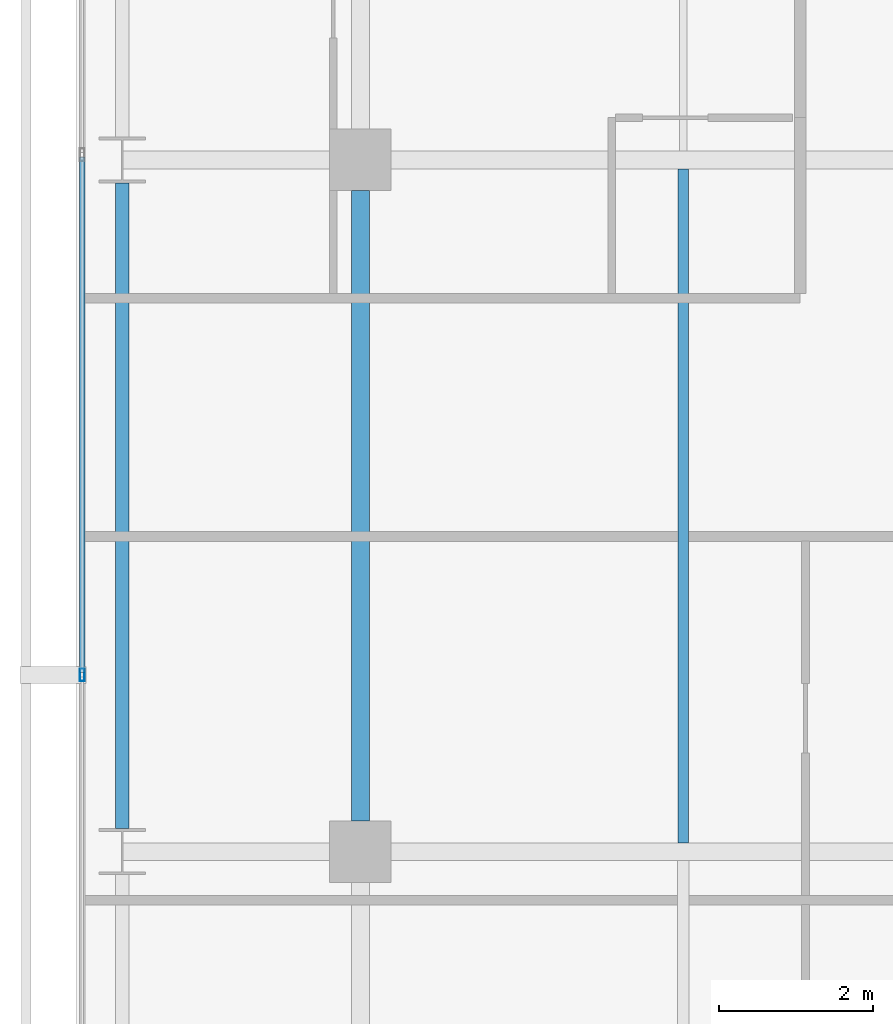
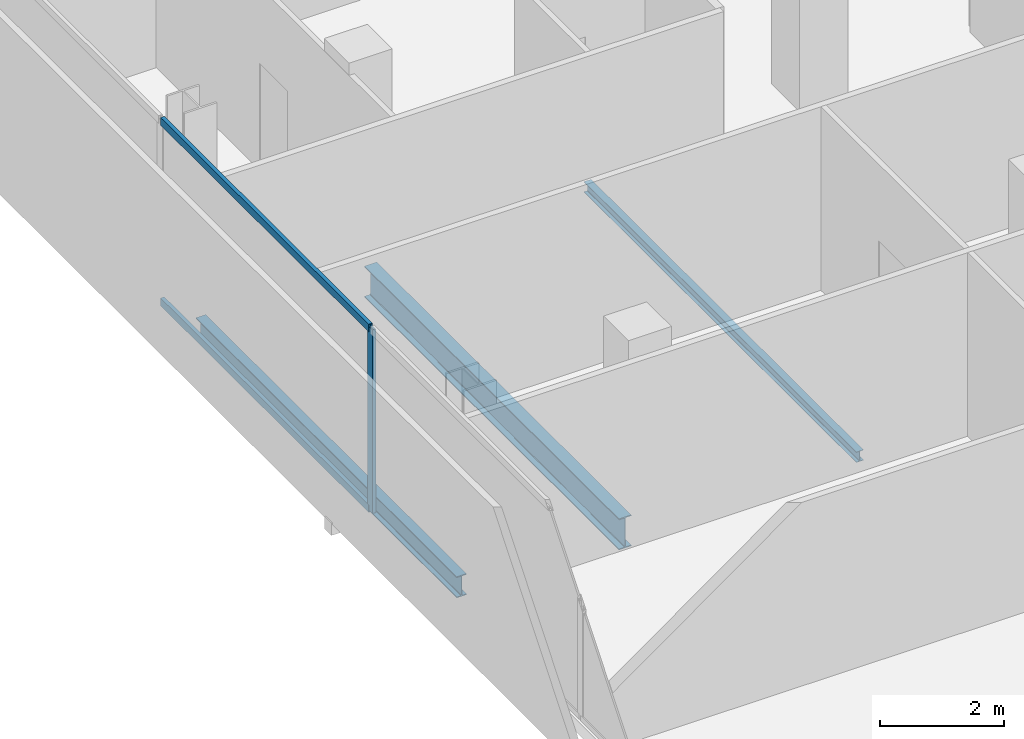
# One storey, part 10 of 34: 3 beams, 3 members, 1 element without a shape of its own.
"""IFC4 building model written with IfcOpenShell, lengths in metres."""

from ifc_helpers import new_model, si_unit, direction, frame, origin, origin_2d, place, context, subcontext, project, spatial, hollow_rectangle, i_section, extrude, material, layer, layer_set, material_profile, profile_set, type_object, element, aggregate, save


model = new_model("IFC4")

# Units and contexts
model_context = context("Model", 3, precision=1e-05, world=origin(), true_north=direction((0.0, 1.0)))
body_context = subcontext(model_context, "Body", "Model", "MODEL_VIEW")
ifc_project = project(units=[si_unit("LENGTHUNIT", "METRE"), si_unit("AREAUNIT", "SQUARE_METRE"), si_unit("VOLUMEUNIT", "CUBIC_METRE"), si_unit("PLANEANGLEUNIT", "RADIAN"), si_unit("MASSUNIT", "GRAM", prefix="KILO")], contexts=[model_context])

# Site, building, storey
site_placement = place(None, origin())
site = spatial("IfcSite", under=ifc_project, at=site_placement, CompositionType="ELEMENT")
building_placement = place(site_placement, origin())
building = spatial("IfcBuilding", under=site, at=building_placement, Name="Maruvema Waterfront Hotel and Observation Tower", CompositionType="ELEMENT")
storey_placement = place(building_placement, frame((0.0, 0.0, 146.64990234375)))
storey = spatial("IfcBuildingStorey", under=building, at=storey_placement, Name="L35", CompositionType="ELEMENT", Elevation=146.64990234375)

# Curtain wall, members
ifc_material_1 = material(Name="Anodised bronze aluminium and solar-control low-E IGU", Category="aluminium")
ifc_layer = layer(ifc_material_1, 0.159912109375, Name="Zone 2 Amber Inner Thermal Curtain Wall System CW-03")
ifc_layer_set = layer_set([ifc_layer], Name="Anodised bronze aluminium and solar-control low-E IGU")
curtain_wall_type = type_object("IfcCurtainWallType", Name="Zone 2 Amber Inner Thermal Curtain Wall System CW-03", PredefinedType="USERDEFINED", material=ifc_layer_set)
curtain_wall_placement = place(storey_placement, origin())
curtain_wall = element("IfcCurtainWall", 1, at=curtain_wall_placement, inside=storey, type_object=curtain_wall_type, Name="L35 Curtain Wall CW-L35-W", ObjectType="UNITISED CURTAIN WALL", PredefinedType="USERDEFINED")
ifc_material_2 = material(Name="Anodised architectural bronze aluminium", Category="aluminium")
ifc_material_profile_1 = material_profile(ifc_material_2, hollow_rectangle(XDim=0.070068359375, YDim=0.14990234375, WallThickness=0.00390625, at=origin_2d()), Name="ALU-T70x150")
ifc_profile_set_1 = profile_set([ifc_material_profile_1], Name="Anodised architectural bronze aluminium")
member_type_1 = type_object("IfcMemberType", Name="Curtain Wall Horizontal Transom ALU-T70x150", PredefinedType="USERDEFINED", material=ifc_profile_set_1)
member_1_placement = place(storey_placement, frame((13.179931640625, 36.03662109375, 0.030029296875), z_axis=(0.0, -1.0, 0.0), x_axis=(1.0, 0.0, 0.0)))
member_1 = element("IfcMember", 2, at=member_1_placement, type_object=member_type_1, Name="CW-03 transom 3.1", ObjectType="TRANSOM", PredefinedType="USERDEFINED", context=body_context, shape_type="SweptSolid", body=[
    extrude(hollow_rectangle(XDim=0.070068359375, YDim=0.14990234375, WallThickness=0.00390625, at=origin_2d()), origin(), (0.0, 0.0, 1.0), 6.70654296875),
])
member_2_placement = place(storey_placement, frame((13.179931640625, 36.03662109375, 3.580078125), z_axis=(0.0, -1.0, 0.0), x_axis=(1.0, 0.0, 0.0)))
member_2 = element("IfcMember", 3, at=member_2_placement, type_object=member_type_1, Name="CW-03 transom 3.2", ObjectType="TRANSOM", PredefinedType="USERDEFINED", context=body_context, shape_type="SweptSolid", body=[
    extrude(hollow_rectangle(XDim=0.070068359375, YDim=0.14990234375, WallThickness=0.00390625, at=origin_2d()), origin(), (0.0, 0.0, 1.0), 6.70654296875),
])
ifc_material_3 = material(Name="Anodised architectural bronze aluminium", Category="aluminium")
ifc_material_profile_2 = material_profile(ifc_material_3, hollow_rectangle(XDim=0.06494140625, YDim=0.1650390625, WallThickness=0.00390625, at=origin_2d()), Name="ALU-M65x165")
ifc_profile_set_2 = profile_set([ifc_material_profile_2], Name="Anodised architectural bronze aluminium")
member_type_2 = type_object("IfcMemberType", Name="Curtain Wall Primary Mullion ALU-M65x165", PredefinedType="MULLION", material=ifc_profile_set_2)
member_3_placement = place(storey_placement, frame((13.179931640625, 29.300048828125, 0.0), z_axis=(0.0, 0.0, 1.0), x_axis=(1.0, 0.0, 0.0)))
member_3 = element("IfcMember", 4, at=member_3_placement, type_object=member_type_2, Name="CW-03 mullion 4", PredefinedType="MULLION", context=body_context, shape_type="SweptSolid", body=[
    extrude(hollow_rectangle(XDim=0.06494140625, YDim=0.1650390625, WallThickness=0.00390625, at=origin_2d()), origin(), (0.0, 0.0, 1.0), 3.610107421875),
])
aggregate(curtain_wall, [member_3, member_1, member_2])

# Beams
ifc_material_4 = material(Name="Steel ASTM A572 Grade 50", Category="steel")
ifc_material_profile_3 = material_profile(ifc_material_4, i_section(OverallWidth=0.180908203125, OverallDepth=0.4169921875, WebThickness=0.010986328125, FlangeThickness=0.018310546875, FilletRadius=0.014892578125, at=origin_2d()), Name="W410x85.0")
ifc_profile_set_3 = profile_set([ifc_material_profile_3], Name="Steel ASTM A572 Grade 50")
beam_type_1 = type_object("IfcBeamType", Name="Perimeter Spandrel Beam W410x85.0", PredefinedType="SPANDREL", material=ifc_profile_set_3)
beam_1_placement = place(storey_placement, frame((13.699951171875, 27.300048828125, -0.448486328125), z_axis=(0.0, 1.0, 0.0), x_axis=(-1.0, 0.0, 0.0)))
element("IfcBeam", 5, at=beam_1_placement, inside=storey, type_object=beam_type_1, Name="L35 Floor Girder NS-03", PredefinedType="SPANDREL", context=body_context, shape_type="SweptSolid", body=[
    extrude(i_section(OverallWidth=0.180908203125, OverallDepth=0.4169921875, WebThickness=0.010986328125, FlangeThickness=0.018310546875, FilletRadius=0.014892578125, at=origin_2d()), origin(), (0.0, 0.0, 1.0), 8.39990234375),
])
ifc_material_5 = material(Name="Steel ASTM A572 Grade 50", Category="steel")
ifc_material_profile_4 = material_profile(ifc_material_5, i_section(OverallWidth=0.22900390625, OverallDepth=0.612060546875, WebThickness=0.011962890625, FlangeThickness=0.01953125, FilletRadius=0.01806640625, at=origin_2d()), Name="W610x125.0")
ifc_profile_set_4 = profile_set([ifc_material_profile_4], Name="Steel ASTM A572 Grade 50")
beam_type_2 = type_object("IfcBeamType", Name="Primary Floor Girder W610x125.0", PredefinedType="BEAM", material=ifc_profile_set_4)
beam_2_placement = place(storey_placement, frame((16.800048828125, 27.39990234375, -0.5458984375), z_axis=(0.0, 1.0, 0.0), x_axis=(-1.0, 0.0, 0.0)))
element("IfcBeam", 6, at=beam_2_placement, inside=storey, type_object=beam_type_2, Name="L35 Floor Girder NS-07", PredefinedType="BEAM", context=body_context, shape_type="SweptSolid", body=[
    extrude(i_section(OverallWidth=0.22900390625, OverallDepth=0.612060546875, WebThickness=0.011962890625, FlangeThickness=0.01953125, FilletRadius=0.01806640625, at=origin_2d()), origin(), (0.0, 0.0, 1.0), 8.2001953125),
])
ifc_material_6 = material(Name="Steel ASTM A572 Grade 50", Category="steel")
ifc_material_profile_5 = material_profile(ifc_material_6, i_section(OverallWidth=0.133056640625, OverallDepth=0.20703125, WebThickness=0.005859375, FlangeThickness=0.00830078125, FilletRadius=0.010009765625, at=origin_2d()), Name="W200x26.6")
ifc_profile_set_5 = profile_set([ifc_material_profile_5], Name="Steel ASTM A572 Grade 50")
beam_type_3 = type_object("IfcBeamType", Name="Secondary Floor Joist W200x26.6", PredefinedType="JOIST", material=ifc_profile_set_5)
beam_3_placement = place(storey_placement, frame((21.0, 27.114501953125, -0.343505859375), z_axis=(0.0, 1.0, 0.0), x_axis=(-1.0, 0.0, 0.0)))
element("IfcBeam", 7, at=beam_3_placement, inside=storey, type_object=beam_type_3, Name="L35 Secondary Floor Joist JS-03", PredefinedType="JOIST", context=body_context, shape_type="SweptSolid", body=[
    extrude(i_section(OverallWidth=0.133056640625, OverallDepth=0.20703125, WebThickness=0.005859375, FlangeThickness=0.00830078125, FilletRadius=0.010009765625, at=origin_2d()), origin(), (0.0, 0.0, 1.0), 8.77099609375),
])

save(model, "model.ifc")
